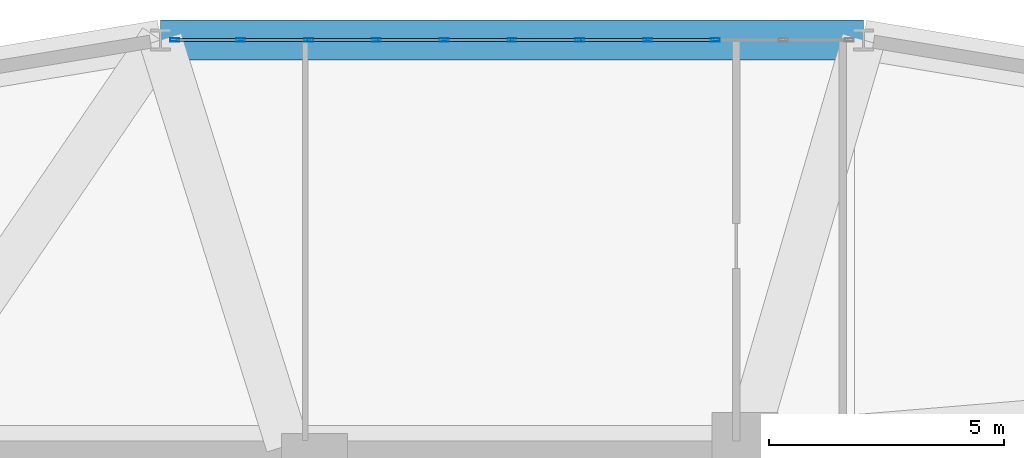
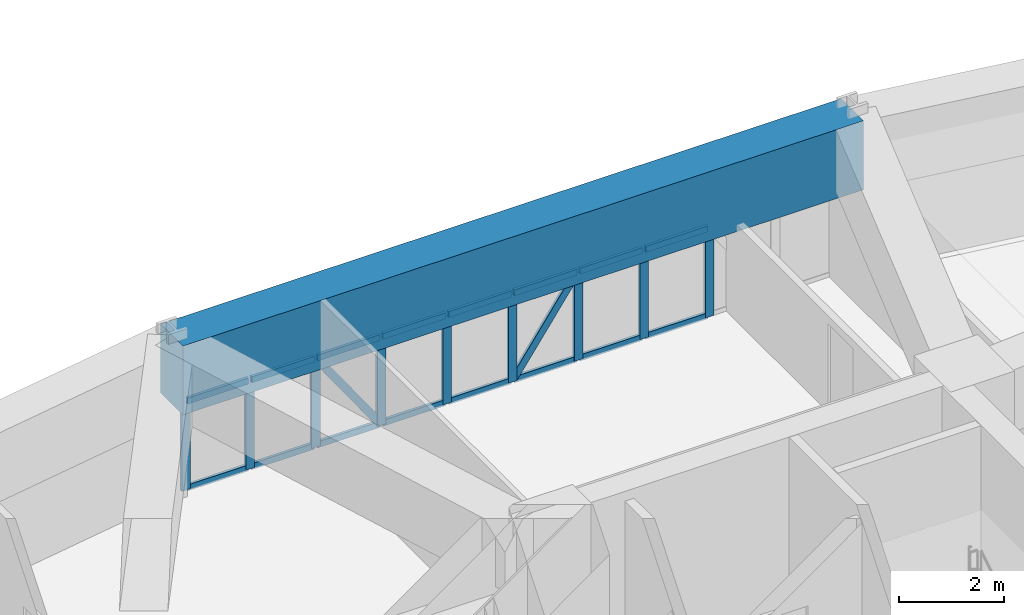
# One storey, part 9 of 17: 27 members, 1 beam, 1 element without a shape of its own.
"""IFC4 building model written with IfcOpenShell, lengths in metres."""

from ifc_helpers import new_model, si_unit, derived_unit, direction, frame, origin, origin_2d, place, context, subcontext, project, spatial, rectangle, hollow_rectangle, extrude, source, transform, mapped, material, layer, layer_set, material_profile, profile_set, type_object, element, aggregate, save


model = new_model("IFC4")

# Units and contexts
model_context = context("Model", 3, precision=1e-05, world=origin(), true_north=direction((0.0, 1.0)))
body_context = subcontext(model_context, "Body", "Model", "MODEL_VIEW")
ifc_project = project(units=[si_unit("LENGTHUNIT", "METRE"), si_unit("AREAUNIT", "SQUARE_METRE"), si_unit("VOLUMEUNIT", "CUBIC_METRE"), si_unit("PLANEANGLEUNIT", "RADIAN"), si_unit("MASSUNIT", "GRAM", prefix="KILO"), derived_unit("THERMALTRANSMITTANCEUNIT", [(si_unit("POWERUNIT", "WATT"), 1), (si_unit("LENGTHUNIT", "METRE"), -2), (si_unit("THERMODYNAMICTEMPERATUREUNIT", "KELVIN"), -1)])], contexts=[model_context])

# Site, building, storey
site_placement = place(None, origin())
site = spatial("IfcSite", under=ifc_project, at=site_placement, CompositionType="ELEMENT")
building_placement = place(site_placement, origin())
building = spatial("IfcBuilding", under=site, at=building_placement, Name="Korsvarv Bourse and Concert Hall", CompositionType="ELEMENT")
storey_placement = place(building_placement, frame((0.0, 0.0, 83.39990234375)))
storey = spatial("IfcBuildingStorey", under=building, at=storey_placement, Name="L20", CompositionType="ELEMENT", Elevation=83.39990234375)

# Beam
ifc_material_1 = material(Name="Concrete C55/67", Category="concrete")
ifc_material_profile_1 = material_profile(ifc_material_1, rectangle(XDim=0.85009765625, YDim=1.60009765625, at=origin_2d()), Name="RC-BM 850x1600")
ifc_profile_set_1 = profile_set([ifc_material_profile_1], Name="Concrete C55/67")
beam_type = type_object("IfcBeamType", Name="BM-TR1B", PredefinedType="BEAM", material=ifc_profile_set_1)
shared_shape_1 = source(origin(), body_context, "Body", "SweptSolid", [
    extrude(rectangle(XDim=0.85009765625, YDim=1.60009765625, at=origin_2d()), origin(), (0.0, 0.0, 1.0), 14.9375),
])
beam_placement = place(storey_placement, frame((47.668701171875, 55.86767578125, 2.880126953125), z_axis=(-1.0, 0.0, 0.0), x_axis=(0.0, -1.0, 0.0)))
element("IfcBeam", 1, at=beam_placement, inside=storey, type_object=beam_type, Name="L20 beam B-TR2", PredefinedType="BEAM", context=body_context, shape_type="MappedRepresentation", body=[
    mapped(shared_shape_1, transform((0.0, 0.0, 0.0), scale=1.0)),
])

# Curtain wall, members
ifc_material_2 = material(Name="Anodised aluminium and triple low-E glazing", Category="glass")
ifc_layer = layer(ifc_material_2, 0.219970703125)
ifc_layer_set = layer_set([ifc_layer], Name="Anodised aluminium and triple low-E glazing")
curtain_wall_type = type_object("IfcCurtainWallType", Name="CW-SYS-1", PredefinedType="NOTDEFINED", material=ifc_layer_set)
curtain_wall_placement = place(storey_placement, origin())
curtain_wall = element("IfcCurtainWall", 2, at=curtain_wall_placement, inside=storey, type_object=curtain_wall_type, Name="L20 CW1 curtain wall CW-L20-F03", PredefinedType="NOTDEFINED")
ifc_material_3 = material(Name="Extruded aluminium EN AW-6063 T66", Category="aluminium")
ifc_material_profile_2 = material_profile(ifc_material_3, hollow_rectangle(XDim=0.070068359375, YDim=0.18994140625, WallThickness=0.0048828125, at=origin_2d()), Name="ALU-M 70x190")
ifc_profile_set_2 = profile_set([ifc_material_profile_2], Name="Extruded aluminium EN AW-6063 T66")
member_type_1 = type_object("IfcMemberType", Name="CWM-190", PredefinedType="MULLION", material=ifc_profile_set_2)
shared_shape_2 = source(origin(), body_context, "Body", "SweptSolid", [
    extrude(hollow_rectangle(XDim=0.070068359375, YDim=0.18994140625, WallThickness=0.0048828125, at=origin_2d()), origin(), (0.0, 0.0, 1.0), 2.080078125),
])
member_1_placement = place(storey_placement, frame((44.52392578125, 55.86767578125, 0.0), z_axis=(0.0, 0.0, 1.0), x_axis=(0.0, -1.0, 0.0)))
member_1 = element("IfcMember", 3, at=member_1_placement, type_object=member_type_1, Name="CW1 mullion 3", PredefinedType="MULLION", context=body_context, shape_type="MappedRepresentation", body=[
    mapped(shared_shape_2, transform((0.0, 0.0, 0.0), scale=1.0)),
])
member_2_placement = place(storey_placement, frame((43.082763671875, 55.86767578125, 0.0), z_axis=(0.0, 0.0, 1.0), x_axis=(0.0, -1.0, 0.0)))
member_2 = element("IfcMember", 4, at=member_2_placement, type_object=member_type_1, Name="CW1 mullion 4", PredefinedType="MULLION", context=body_context, shape_type="MappedRepresentation", body=[
    mapped(shared_shape_2, transform((0.0, 0.0, 0.0), scale=1.0)),
])
member_3_placement = place(storey_placement, frame((41.641357421875, 55.86767578125, 0.0), z_axis=(0.0, 0.0, 1.0), x_axis=(0.0, -1.0, 0.0)))
member_3 = element("IfcMember", 5, at=member_3_placement, type_object=member_type_1, Name="CW1 mullion 5", PredefinedType="MULLION", context=body_context, shape_type="MappedRepresentation", body=[
    mapped(shared_shape_2, transform((0.0, 0.0, 0.0), scale=1.0)),
])
member_4_placement = place(storey_placement, frame((40.199951171875, 55.86767578125, 0.0), z_axis=(0.0, 0.0, 1.0), x_axis=(0.0, -1.0, 0.0)))
member_4 = element("IfcMember", 6, at=member_4_placement, type_object=member_type_1, Name="CW1 mullion 6", PredefinedType="MULLION", context=body_context, shape_type="MappedRepresentation", body=[
    mapped(shared_shape_2, transform((0.0, 0.0, 0.0), scale=1.0)),
])
member_5_placement = place(storey_placement, frame((38.758544921875, 55.86767578125, 0.0), z_axis=(0.0, 0.0, 1.0), x_axis=(0.0, -1.0, 0.0)))
member_5 = element("IfcMember", 7, at=member_5_placement, type_object=member_type_1, Name="CW1 mullion 7", PredefinedType="MULLION", context=body_context, shape_type="MappedRepresentation", body=[
    mapped(shared_shape_2, transform((0.0, 0.0, 0.0), scale=1.0)),
])
member_6_placement = place(storey_placement, frame((37.3173828125, 55.86767578125, 0.0), z_axis=(0.0, 0.0, 1.0), x_axis=(0.0, -1.0, 0.0)))
member_6 = element("IfcMember", 8, at=member_6_placement, type_object=member_type_1, Name="CW1 mullion 8", PredefinedType="MULLION", context=body_context, shape_type="MappedRepresentation", body=[
    mapped(shared_shape_2, transform((0.0, 0.0, 0.0), scale=1.0)),
])
member_7_placement = place(storey_placement, frame((35.8759765625, 55.86767578125, 0.0), z_axis=(0.0, 0.0, 1.0), x_axis=(0.0, -1.0, 0.0)))
member_7 = element("IfcMember", 9, at=member_7_placement, type_object=member_type_1, Name="CW1 mullion 9", PredefinedType="MULLION", context=body_context, shape_type="MappedRepresentation", body=[
    mapped(shared_shape_2, transform((0.0, 0.0, 0.0), scale=1.0)),
])
member_8_placement = place(storey_placement, frame((34.4345703125, 55.86767578125, 0.0), z_axis=(0.0, 0.0, 1.0), x_axis=(0.0, -1.0, 0.0)))
member_8 = element("IfcMember", 10, at=member_8_placement, type_object=member_type_1, Name="CW1 mullion 10", PredefinedType="MULLION", context=body_context, shape_type="MappedRepresentation", body=[
    mapped(shared_shape_2, transform((0.0, 0.0, 0.0), scale=1.0)),
])
member_9_placement = place(storey_placement, frame((33.0283203125, 55.86767578125, 0.0), z_axis=(0.0, 0.0, 1.0), x_axis=(0.0, -1.0, 0.0)))
member_9 = element("IfcMember", 11, at=member_9_placement, type_object=member_type_1, Name="CW1 mullion 11", PredefinedType="MULLION", context=body_context, shape_type="MappedRepresentation", body=[
    mapped(shared_shape_2, transform((0.0, 0.0, 0.0), scale=1.0)),
])
ifc_material_profile_3 = material_profile(ifc_material_3, hollow_rectangle(XDim=0.06494140625, YDim=0.139892578125, WallThickness=0.00390625, at=origin_2d()), Name="ALU-T 65x140")
ifc_profile_set_3 = profile_set([ifc_material_profile_3], Name="Extruded aluminium EN AW-6063 T66")
member_type_2 = type_object("IfcMemberType", Name="CWT-140", PredefinedType="USERDEFINED", material=ifc_profile_set_3)
shared_shape_3 = source(origin(), body_context, "Body", "SweptSolid", [
    extrude(hollow_rectangle(XDim=0.06494140625, YDim=0.139892578125, WallThickness=0.00390625, at=origin_2d()), origin(), (0.0, 0.0, 1.0), 1.33642578125),
])
member_10_placement = place(storey_placement, frame((34.399658203125, 55.86767578125, 0.03271484375), z_axis=(-1.0, 0.0, 0.0), x_axis=(0.0, -1.0, 0.0)))
member_10 = element("IfcMember", 12, at=member_10_placement, type_object=member_type_2, Name="CW1 transom 10.1", ObjectType="TRANSOM", PredefinedType="USERDEFINED", context=body_context, shape_type="MappedRepresentation", body=[
    mapped(shared_shape_3, transform((0.0, 0.0, 0.0), scale=1.0)),
])
member_11_placement = place(storey_placement, frame((34.399658203125, 55.86767578125, 2.047607421875), z_axis=(-1.0, 0.0, 0.0), x_axis=(0.0, -1.0, 0.0)))
member_11 = element("IfcMember", 13, at=member_11_placement, type_object=member_type_2, Name="CW1 transom 10.2", ObjectType="TRANSOM", PredefinedType="USERDEFINED", context=body_context, shape_type="MappedRepresentation", body=[
    mapped(shared_shape_3, transform((0.0, 0.0, 0.0), scale=1.0)),
])
shared_shape_4 = source(origin(), body_context, "Body", "SweptSolid", [
    extrude(hollow_rectangle(XDim=0.06494140625, YDim=0.139892578125, WallThickness=0.00390625, at=origin_2d()), origin(), (0.0, 0.0, 1.0), 1.371337890625),
])
member_12_placement = place(storey_placement, frame((44.489013671875, 55.86767578125, 0.03271484375), z_axis=(-1.0, 0.0, 0.0), x_axis=(0.0, -1.0, 0.0)))
member_12 = element("IfcMember", 14, at=member_12_placement, type_object=member_type_2, Name="CW1 transom 3.1", ObjectType="TRANSOM", PredefinedType="USERDEFINED", context=body_context, shape_type="MappedRepresentation", body=[
    mapped(shared_shape_4, transform((0.0, 0.0, 0.0), scale=1.0)),
])
member_13_placement = place(storey_placement, frame((44.489013671875, 55.86767578125, 2.047607421875), z_axis=(-1.0, 0.0, 0.0), x_axis=(0.0, -1.0, 0.0)))
member_13 = element("IfcMember", 15, at=member_13_placement, type_object=member_type_2, Name="CW1 transom 3.2", ObjectType="TRANSOM", PredefinedType="USERDEFINED", context=body_context, shape_type="MappedRepresentation", body=[
    mapped(shared_shape_4, transform((0.0, 0.0, 0.0), scale=1.0)),
])
member_14_placement = place(storey_placement, frame((43.047607421875, 55.86767578125, 0.03271484375), z_axis=(-1.0, 0.0, 0.0), x_axis=(0.0, -1.0, 0.0)))
member_14 = element("IfcMember", 16, at=member_14_placement, type_object=member_type_2, Name="CW1 transom 4.1", ObjectType="TRANSOM", PredefinedType="USERDEFINED", context=body_context, shape_type="MappedRepresentation", body=[
    mapped(shared_shape_4, transform((0.0, 0.0, 0.0), scale=1.0)),
])
member_15_placement = place(storey_placement, frame((43.047607421875, 55.86767578125, 2.047607421875), z_axis=(-1.0, 0.0, 0.0), x_axis=(0.0, -1.0, 0.0)))
member_15 = element("IfcMember", 17, at=member_15_placement, type_object=member_type_2, Name="CW1 transom 4.2", ObjectType="TRANSOM", PredefinedType="USERDEFINED", context=body_context, shape_type="MappedRepresentation", body=[
    mapped(shared_shape_4, transform((0.0, 0.0, 0.0), scale=1.0)),
])
member_16_placement = place(storey_placement, frame((41.6064453125, 55.86767578125, 0.03271484375), z_axis=(-1.0, 0.0, 0.0), x_axis=(0.0, -1.0, 0.0)))
member_16 = element("IfcMember", 18, at=member_16_placement, type_object=member_type_2, Name="CW1 transom 5.1", ObjectType="TRANSOM", PredefinedType="USERDEFINED", context=body_context, shape_type="MappedRepresentation", body=[
    mapped(shared_shape_4, transform((0.0, 0.0, 0.0), scale=1.0)),
])
member_17_placement = place(storey_placement, frame((41.6064453125, 55.86767578125, 2.047607421875), z_axis=(-1.0, 0.0, 0.0), x_axis=(0.0, -1.0, 0.0)))
member_17 = element("IfcMember", 19, at=member_17_placement, type_object=member_type_2, Name="CW1 transom 5.2", ObjectType="TRANSOM", PredefinedType="USERDEFINED", context=body_context, shape_type="MappedRepresentation", body=[
    mapped(shared_shape_4, transform((0.0, 0.0, 0.0), scale=1.0)),
])
member_18_placement = place(storey_placement, frame((40.1650390625, 55.86767578125, 0.03271484375), z_axis=(-1.0, 0.0, 0.0), x_axis=(0.0, -1.0, 0.0)))
member_18 = element("IfcMember", 20, at=member_18_placement, type_object=member_type_2, Name="CW1 transom 6.1", ObjectType="TRANSOM", PredefinedType="USERDEFINED", context=body_context, shape_type="MappedRepresentation", body=[
    mapped(shared_shape_4, transform((0.0, 0.0, 0.0), scale=1.0)),
])
member_19_placement = place(storey_placement, frame((40.1650390625, 55.86767578125, 2.047607421875), z_axis=(-1.0, 0.0, 0.0), x_axis=(0.0, -1.0, 0.0)))
member_19 = element("IfcMember", 21, at=member_19_placement, type_object=member_type_2, Name="CW1 transom 6.2", ObjectType="TRANSOM", PredefinedType="USERDEFINED", context=body_context, shape_type="MappedRepresentation", body=[
    mapped(shared_shape_4, transform((0.0, 0.0, 0.0), scale=1.0)),
])
member_20_placement = place(storey_placement, frame((38.7236328125, 55.86767578125, 0.03271484375), z_axis=(-1.0, 0.0, 0.0), x_axis=(0.0, -1.0, 0.0)))
member_20 = element("IfcMember", 22, at=member_20_placement, type_object=member_type_2, Name="CW1 transom 7.1", ObjectType="TRANSOM", PredefinedType="USERDEFINED", context=body_context, shape_type="MappedRepresentation", body=[
    mapped(shared_shape_4, transform((0.0, 0.0, 0.0), scale=1.0)),
])
member_21_placement = place(storey_placement, frame((38.7236328125, 55.86767578125, 2.047607421875), z_axis=(-1.0, 0.0, 0.0), x_axis=(0.0, -1.0, 0.0)))
member_21 = element("IfcMember", 23, at=member_21_placement, type_object=member_type_2, Name="CW1 transom 7.2", ObjectType="TRANSOM", PredefinedType="USERDEFINED", context=body_context, shape_type="MappedRepresentation", body=[
    mapped(shared_shape_4, transform((0.0, 0.0, 0.0), scale=1.0)),
])
member_22_placement = place(storey_placement, frame((37.2822265625, 55.86767578125, 0.03271484375), z_axis=(-1.0, 0.0, 0.0), x_axis=(0.0, -1.0, 0.0)))
member_22 = element("IfcMember", 24, at=member_22_placement, type_object=member_type_2, Name="CW1 transom 8.1", ObjectType="TRANSOM", PredefinedType="USERDEFINED", context=body_context, shape_type="MappedRepresentation", body=[
    mapped(shared_shape_4, transform((0.0, 0.0, 0.0), scale=1.0)),
])
member_23_placement = place(storey_placement, frame((37.2822265625, 55.86767578125, 2.047607421875), z_axis=(-1.0, 0.0, 0.0), x_axis=(0.0, -1.0, 0.0)))
member_23 = element("IfcMember", 25, at=member_23_placement, type_object=member_type_2, Name="CW1 transom 8.2", ObjectType="TRANSOM", PredefinedType="USERDEFINED", context=body_context, shape_type="MappedRepresentation", body=[
    mapped(shared_shape_4, transform((0.0, 0.0, 0.0), scale=1.0)),
])
member_24_placement = place(storey_placement, frame((35.841064453125, 55.86767578125, 0.03271484375), z_axis=(-1.0, 0.0, 0.0), x_axis=(0.0, -1.0, 0.0)))
member_24 = element("IfcMember", 26, at=member_24_placement, type_object=member_type_2, Name="CW1 transom 9.1", ObjectType="TRANSOM", PredefinedType="USERDEFINED", context=body_context, shape_type="MappedRepresentation", body=[
    mapped(shared_shape_4, transform((0.0, 0.0, 0.0), scale=1.0)),
])
member_25_placement = place(storey_placement, frame((35.841064453125, 55.86767578125, 2.047607421875), z_axis=(-1.0, 0.0, 0.0), x_axis=(0.0, -1.0, 0.0)))
member_25 = element("IfcMember", 27, at=member_25_placement, type_object=member_type_2, Name="CW1 transom 9.2", ObjectType="TRANSOM", PredefinedType="USERDEFINED", context=body_context, shape_type="MappedRepresentation", body=[
    mapped(shared_shape_4, transform((0.0, 0.0, 0.0), scale=1.0)),
])
ifc_material_profile_4 = material_profile(ifc_material_3, hollow_rectangle(XDim=0.06494140625, YDim=0.1650390625, WallThickness=0.0048828125, at=origin_2d()), Name="ALU-M 65x165")
ifc_profile_set_4 = profile_set([ifc_material_profile_4], Name="Extruded aluminium EN AW-6063 T66")
member_type_3 = type_object("IfcMemberType", Name="CWM-165", PredefinedType="MULLION", material=ifc_profile_set_4)
shared_shape_5 = source(origin(), body_context, "Body", "SweptSolid", [
    extrude(hollow_rectangle(XDim=0.06494140625, YDim=0.1650390625, WallThickness=0.0048828125, at=origin_2d()), origin(), (0.0, 0.0, 1.0), 2.3837890625),
])
member_26_placement = place(storey_placement, frame((40.235107421875, 55.86767578125, 0.065185546875), z_axis=(0.575254918691, 0.0, 0.817974191843), x_axis=(0.0, 1.0, 0.0)))
member_26 = element("IfcMember", 28, at=member_26_placement, type_object=member_type_3, Name="CW1 diagonal mullion 5", PredefinedType="MULLION", context=body_context, shape_type="MappedRepresentation", body=[
    mapped(shared_shape_5, transform((0.0, 0.0, 0.0), scale=1.0)),
])
member_27_placement = place(storey_placement, frame((37.2822265625, 55.86767578125, 0.065185546875), z_axis=(-0.575254918691, 0.0, 0.817974191843), x_axis=(0.0, -1.0, 0.0)))
member_27 = element("IfcMember", 29, at=member_27_placement, type_object=member_type_3, Name="CW1 diagonal mullion 8", PredefinedType="MULLION", context=body_context, shape_type="MappedRepresentation", body=[
    mapped(shared_shape_5, transform((0.0, 0.0, 0.0), scale=1.0)),
])
aggregate(curtain_wall, [member_1, member_2, member_3, member_4, member_5, member_6, member_7, member_8, member_9, member_12, member_13, member_14, member_15, member_16, member_17, member_26, member_18, member_19, member_20, member_21, member_22, member_23, member_27, member_24, member_25, member_10, member_11])

save(model, "model.ifc")
